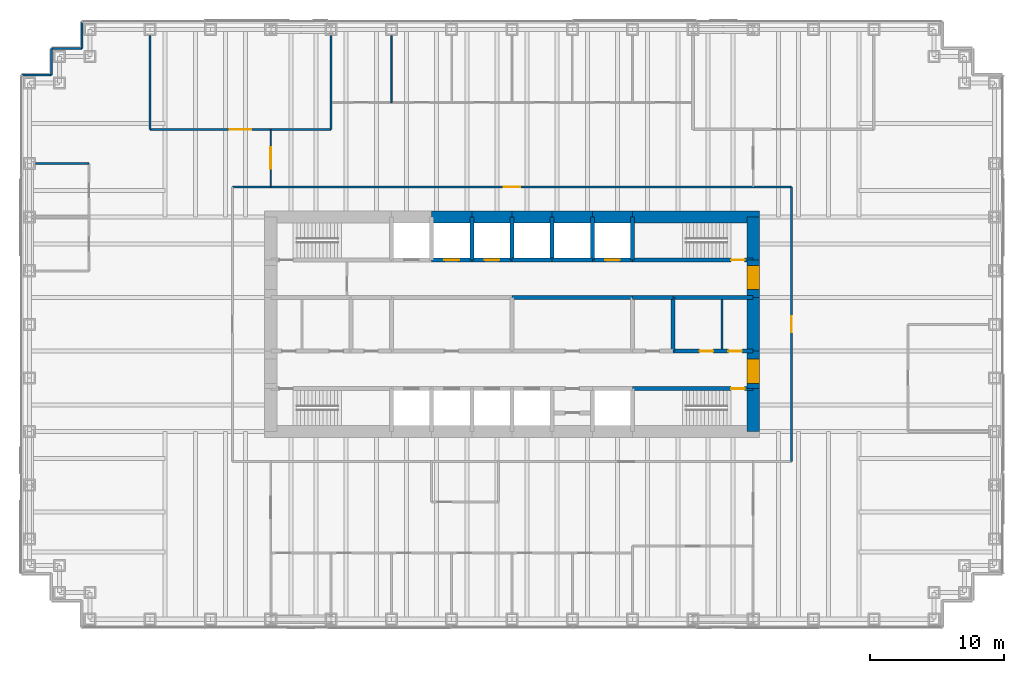
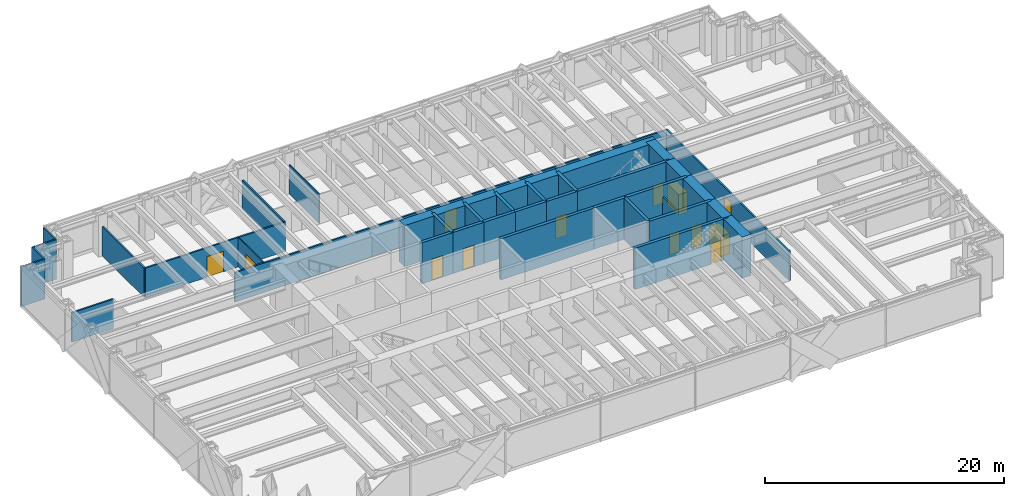
# One storey, part 13 of 15: 41 walls, 13 doors, 13 openings.
"""IFC4 building model written with IfcOpenShell, lengths in metres."""

from ifc_helpers import new_model, si_unit, direction, frame, frame_2d, origin, place, context, subcontext, project, spatial, rectangle, extrude, material, layer, layer_set, type_object, element, fill, save


model = new_model("IFC4")

# Units and contexts
model_context = context("Model", 3, precision=1e-05, world=origin(), true_north=direction((0.0, 1.0)))
body_context = subcontext(model_context, "Body", "Model", "MODEL_VIEW")
ifc_project = project(units=[si_unit("LENGTHUNIT", "METRE"), si_unit("AREAUNIT", "SQUARE_METRE"), si_unit("VOLUMEUNIT", "CUBIC_METRE"), si_unit("PLANEANGLEUNIT", "RADIAN"), si_unit("MASSUNIT", "GRAM", prefix="KILO")], contexts=[model_context])

# Site, building, storey
site_placement = place(None, origin())
site = spatial("IfcSite", under=ifc_project, at=site_placement, CompositionType="ELEMENT")
building_placement = place(site_placement, origin())
building = spatial("IfcBuilding", under=site, at=building_placement, Name="Rheinbord Bourse Tower", CompositionType="ELEMENT")
storey_placement = place(building_placement, frame((0.0, 0.0, 108.89990234375)))
storey = spatial("IfcBuildingStorey", under=building, at=storey_placement, Name="L23", CompositionType="ELEMENT", Elevation=108.89990234375)

# Wall, opening, door
ifc_material_1 = material(Name="Concrete C50/60", Category="concrete")
ifc_layer_1 = layer(ifc_material_1, 0.300048828125)
ifc_layer_set_1 = layer_set([ifc_layer_1], Name="CORE INNER WALL 300")
wall_type_1 = type_object("IfcWallType", Name="CORE INNER WALL 300", PredefinedType="SOLIDWALL", material=ifc_layer_set_1)
wall_1_placement = place(storey_placement, frame((45.0, 19.199951171875, 0.0), z_axis=(0.0, 0.0, 1.0), x_axis=(1.0, 0.0, 0.0)))
wall_1 = element("IfcWall", 1, at=wall_1_placement, inside=storey, type_object=wall_type_1, Name="Core wall A8 L23", PredefinedType="SOLIDWALL", context=body_context, shape_type="SweptSolid", body=[
    extrude(rectangle(XDim=9.0, YDim=0.300048828125, at=frame_2d((4.5, 0.0))), origin(), (0.0, 0.0, 1.0), 4.2001953125),
])
opening_1_placement = place(wall_1_placement, frame((7.35009765625, 0.0, 0.0)))
opening_1 = element("IfcOpeningElement", 2, at=opening_1_placement, cuts=wall_1, Name="Opening 2330", PredefinedType="OPENING", context=body_context, shape_type="SweptSolid", body=[
    extrude(rectangle(XDim=1.0, YDim=2.10009765625, at=frame_2d((0.5, 1.050048828125))), frame((0.0, 0.159912109375, 0.0), z_axis=(0.0, -1.0, 0.0), x_axis=(1.0, 0.0, 0.0)), (0.0, 0.0, 1.0), 0.320068359375),
])
ifc_material_2 = material(Name="Steel door", Category="steel")
door_type_1 = type_object("IfcDoorType", Name="DOOR 1000 EI30", OperationType="SINGLE_SWING_LEFT", PredefinedType="DOOR", material=ifc_material_2)
door_1_placement = place(opening_1_placement, origin())
door_1 = element("IfcDoor", 3, at=door_1_placement, inside=storey, type_object=door_type_1, Name="Stair door ST3 L23", OperationType="SINGLE_SWING_RIGHT", OverallHeight=2.10009765625, OverallWidth=1.0, PredefinedType="DOOR", context=body_context, shape_type="SweptSolid", body=[
    extrude(rectangle(XDim=1.0, YDim=2.10009765625, at=frame_2d((0.5, 1.050048828125))), frame((0.0, 0.02490234375, 0.0), z_axis=(0.0, -1.0, 0.0), x_axis=(1.0, 0.0, 0.0)), (0.0, 0.0, 1.0), 0.050048828125),
])
fill(opening_1, door_1)

wall_2_placement = place(storey_placement, frame((30.0, 28.800048828125, 0.0), z_axis=(0.0, 0.0, 1.0), x_axis=(1.0, 0.0, 0.0)))
wall_2 = element("IfcWall", 4, at=wall_2_placement, inside=storey, type_object=wall_type_1, Name="Core wall B3 L23", PredefinedType="SOLIDWALL", context=body_context, shape_type="SweptSolid", body=[
    extrude(rectangle(XDim=3.0, YDim=0.300048828125, at=frame_2d((1.5, 0.0))), origin(), (0.0, 0.0, 1.0), 4.2001953125),
])
opening_2_placement = place(wall_2_placement, frame((0.949951171875, 0.0, 0.0)))
opening_2 = element("IfcOpeningElement", 5, at=opening_2_placement, cuts=wall_2, Name="Opening PB4", PredefinedType="OPENING", context=body_context, shape_type="SweptSolid", body=[
    extrude(rectangle(XDim=1.10009765625, YDim=2.199951171875, at=frame_2d((0.550048828125, 1.10009765625))), frame((0.0, 0.159912109375, 0.0), z_axis=(0.0, -1.0, 0.0), x_axis=(1.0, 0.0, 0.0)), (0.0, 0.0, 1.0), 0.320068359375),
])
ifc_material_3 = material(Name="Steel landing door", Category="steel")
door_type_2 = type_object("IfcDoorType", Name="LIFT LANDING DOOR 1100", OperationType="DOUBLE_DOOR_SLIDING", PredefinedType="USERDEFINED", material=ifc_material_3)
door_2_placement = place(opening_2_placement, origin())
door_2 = element("IfcDoor", 6, at=door_2_placement, inside=storey, type_object=door_type_2, Name="Lift landing door PB4 L23", ObjectType="LIFT LANDING DOOR", OperationType="DOUBLE_DOOR_SLIDING", OverallHeight=2.199951171875, OverallWidth=1.10009765625, PredefinedType="USERDEFINED", context=body_context, shape_type="SweptSolid", body=[
    extrude(rectangle(XDim=1.10009765625, YDim=2.199951171875, at=frame_2d((0.550048828125, 1.10009765625))), frame((0.0, 0.02490234375, 0.0), z_axis=(0.0, -1.0, 0.0), x_axis=(1.0, 0.0, 0.0)), (0.0, 0.0, 1.0), 0.050048828125),
])
fill(opening_2, door_2)

wall_3_placement = place(storey_placement, frame((33.0, 28.800048828125, 0.0), z_axis=(0.0, 0.0, 1.0), x_axis=(1.0, 0.0, 0.0)))
wall_3 = element("IfcWall", 7, at=wall_3_placement, inside=storey, type_object=wall_type_1, Name="Core wall B4 L23", PredefinedType="SOLIDWALL", context=body_context, shape_type="SweptSolid", body=[
    extrude(rectangle(XDim=3.0, YDim=0.300048828125, at=frame_2d((1.5, 0.0))), origin(), (0.0, 0.0, 1.0), 4.2001953125),
])
opening_3_placement = place(wall_3_placement, frame((0.949951171875, 0.0, 0.0)))
opening_3 = element("IfcOpeningElement", 8, at=opening_3_placement, cuts=wall_3, Name="Opening PB5", PredefinedType="OPENING", context=body_context, shape_type="SweptSolid", body=[
    extrude(rectangle(XDim=1.10009765625, YDim=2.199951171875, at=frame_2d((0.550048828125, 1.10009765625))), frame((0.0, 0.159912109375, 0.0), z_axis=(0.0, -1.0, 0.0), x_axis=(1.0, 0.0, 0.0)), (0.0, 0.0, 1.0), 0.320068359375),
])
door_3_placement = place(opening_3_placement, origin())
door_3 = element("IfcDoor", 9, at=door_3_placement, inside=storey, type_object=door_type_2, Name="Lift landing door PB5 L23", ObjectType="LIFT LANDING DOOR", OperationType="DOUBLE_DOOR_SLIDING", OverallHeight=2.199951171875, OverallWidth=1.10009765625, PredefinedType="USERDEFINED", context=body_context, shape_type="SweptSolid", body=[
    extrude(rectangle(XDim=1.10009765625, YDim=2.199951171875, at=frame_2d((0.550048828125, 1.10009765625))), frame((0.0, 0.02490234375, 0.0), z_axis=(0.0, -1.0, 0.0), x_axis=(1.0, 0.0, 0.0)), (0.0, 0.0, 1.0), 0.050048828125),
])
fill(opening_3, door_3)

# Walls
for number, where, z_axis, x_axis, name in (
    (10, (36.0, 28.800048828125, 0.0), (0.0, 0.0, 1.0), (1.0, 0.0, 0.0), "Core wall B5 L23"),
    (11, (39.0, 28.800048828125, 0.0), (0.0, 0.0, 1.0), (1.0, 0.0, 0.0), "Core wall B6 L23"),
):
    element("IfcWall", number, at=place(storey_placement, frame(where, z_axis=z_axis, x_axis=x_axis)), inside=storey, type_object=wall_type_1, Name=name, PredefinedType="SOLIDWALL", context=body_context, shape_type="SweptSolid", body=[
        extrude(rectangle(XDim=3.0, YDim=0.300048828125, at=frame_2d((1.5, 0.0))), origin(), (0.0, 0.0, 1.0), 4.2001953125),
    ])

# Wall, opening, door
wall_4_placement = place(storey_placement, frame((42.0, 28.800048828125, 0.0), z_axis=(0.0, 0.0, 1.0), x_axis=(1.0, 0.0, 0.0)))
wall_4 = element("IfcWall", 12, at=wall_4_placement, inside=storey, type_object=wall_type_1, Name="Core wall B7 L23", PredefinedType="SOLIDWALL", context=body_context, shape_type="SweptSolid", body=[
    extrude(rectangle(XDim=3.0, YDim=0.300048828125, at=frame_2d((1.5, 0.0))), origin(), (0.0, 0.0, 1.0), 4.2001953125),
])
opening_4_placement = place(wall_4_placement, frame((0.949951171875, 0.0, 0.0)))
opening_4 = element("IfcOpeningElement", 13, at=opening_4_placement, cuts=wall_4, Name="Opening FL2", PredefinedType="OPENING", context=body_context, shape_type="SweptSolid", body=[
    extrude(rectangle(XDim=1.10009765625, YDim=2.199951171875, at=frame_2d((0.550048828125, 1.10009765625))), frame((0.0, 0.159912109375, 0.0), z_axis=(0.0, -1.0, 0.0), x_axis=(1.0, 0.0, 0.0)), (0.0, 0.0, 1.0), 0.320068359375),
])
door_4_placement = place(opening_4_placement, origin())
door_4 = element("IfcDoor", 14, at=door_4_placement, inside=storey, type_object=door_type_2, Name="Lift landing door FL2 L23", ObjectType="LIFT LANDING DOOR", OperationType="DOUBLE_DOOR_SLIDING", OverallHeight=2.199951171875, OverallWidth=1.10009765625, PredefinedType="USERDEFINED", context=body_context, shape_type="SweptSolid", body=[
    extrude(rectangle(XDim=1.10009765625, YDim=2.199951171875, at=frame_2d((0.550048828125, 1.10009765625))), frame((0.0, 0.02490234375, 0.0), z_axis=(0.0, -1.0, 0.0), x_axis=(1.0, 0.0, 0.0)), (0.0, 0.0, 1.0), 0.050048828125),
])
fill(opening_4, door_4)

wall_5_placement = place(storey_placement, frame((45.0, 28.800048828125, 0.0), z_axis=(0.0, 0.0, 1.0), x_axis=(1.0, 0.0, 0.0)))
wall_5 = element("IfcWall", 15, at=wall_5_placement, inside=storey, type_object=wall_type_1, Name="Core wall B8 L23", PredefinedType="SOLIDWALL", context=body_context, shape_type="SweptSolid", body=[
    extrude(rectangle(XDim=9.0, YDim=0.300048828125, at=frame_2d((4.5, 0.0))), origin(), (0.0, 0.0, 1.0), 4.2001953125),
])
opening_5_placement = place(wall_5_placement, frame((7.35009765625, 0.0, 0.0)))
opening_5 = element("IfcOpeningElement", 16, at=opening_5_placement, cuts=wall_5, Name="Opening 2340", PredefinedType="OPENING", context=body_context, shape_type="SweptSolid", body=[
    extrude(rectangle(XDim=1.0, YDim=2.10009765625, at=frame_2d((0.5, 1.050048828125))), frame((0.0, 0.159912109375, 0.0), z_axis=(0.0, -1.0, 0.0), x_axis=(1.0, 0.0, 0.0)), (0.0, 0.0, 1.0), 0.320068359375),
])
door_5_placement = place(opening_5_placement, origin())
door_5 = element("IfcDoor", 17, at=door_5_placement, inside=storey, type_object=door_type_1, Name="Stair door ST4 L23", OperationType="SINGLE_SWING_RIGHT", OverallHeight=2.10009765625, OverallWidth=1.0, PredefinedType="DOOR", context=body_context, shape_type="SweptSolid", body=[
    extrude(rectangle(XDim=1.0, YDim=2.10009765625, at=frame_2d((0.5, 1.050048828125))), frame((0.0, 0.02490234375, 0.0), z_axis=(0.0, -1.0, 0.0), x_axis=(1.0, 0.0, 0.0)), (0.0, 0.0, 1.0), 0.050048828125),
])
fill(opening_5, door_5)

# Wall, openings, doors
wall_6_placement = place(storey_placement, frame((48.0, 22.0, 0.0), z_axis=(0.0, 0.0, 1.0), x_axis=(1.0, 0.0, 0.0)))
wall_6 = element("IfcWall", 18, at=wall_6_placement, inside=storey, type_object=wall_type_1, Name="Core wall C6 L23", PredefinedType="SOLIDWALL", context=body_context, shape_type="SweptSolid", body=[
    extrude(rectangle(XDim=6.0, YDim=0.300048828125, at=frame_2d((3.0, 0.0))), origin(), (0.0, 0.0, 1.0), 4.2001953125),
])
opening_6_placement = place(wall_6_placement, frame((2.0, 0.0, 0.0)))
opening_6 = element("IfcOpeningElement", 19, at=opening_6_placement, cuts=wall_6, Name="Opening 23R6", PredefinedType="OPENING", context=body_context, shape_type="SweptSolid", body=[
    extrude(rectangle(XDim=1.0, YDim=2.10009765625, at=frame_2d((0.5, 1.050048828125))), frame((0.0, 0.159912109375, 0.0), z_axis=(0.0, -1.0, 0.0), x_axis=(1.0, 0.0, 0.0)), (0.0, 0.0, 1.0), 0.320068359375),
])
opening_7_placement = place(wall_6_placement, frame((4.14990234375, 0.0, 0.0)))
opening_7 = element("IfcOpeningElement", 20, at=opening_7_placement, cuts=wall_6, Name="Opening 23R10", PredefinedType="OPENING", context=body_context, shape_type="SweptSolid", body=[
    extrude(rectangle(XDim=1.0, YDim=2.10009765625, at=frame_2d((0.5, 1.050048828125))), frame((0.0, 0.159912109375, 0.0), z_axis=(0.0, -1.0, 0.0), x_axis=(1.0, 0.0, 0.0)), (0.0, 0.0, 1.0), 0.320068359375),
])
door_6_placement = place(opening_7_placement, origin())
door_6 = element("IfcDoor", 21, at=door_6_placement, inside=storey, type_object=door_type_1, Name="Cleaner's store door L23", OperationType="SINGLE_SWING_RIGHT", OverallHeight=2.10009765625, OverallWidth=1.0, PredefinedType="DOOR", context=body_context, shape_type="SweptSolid", body=[
    extrude(rectangle(XDim=1.0, YDim=2.10009765625, at=frame_2d((0.5, 1.050048828125))), frame((0.0, 0.02490234375, 0.0), z_axis=(0.0, -1.0, 0.0), x_axis=(1.0, 0.0, 0.0)), (0.0, 0.0, 1.0), 0.050048828125),
])
fill(opening_7, door_6)
ifc_material_4 = material(Name="Timber door", Category="wood")
door_type_3 = type_object("IfcDoorType", Name="DOOR 1000 WC", OperationType="SINGLE_SWING_LEFT", PredefinedType="DOOR", material=ifc_material_4)
door_7_placement = place(opening_6_placement, origin())
door_7 = element("IfcDoor", 22, at=door_7_placement, inside=storey, type_object=door_type_3, Name="WC women door L23", OperationType="SINGLE_SWING_LEFT", OverallHeight=2.10009765625, OverallWidth=1.0, PredefinedType="DOOR", context=body_context, shape_type="SweptSolid", body=[
    extrude(rectangle(XDim=1.0, YDim=2.10009765625, at=frame_2d((0.5, 1.050048828125))), frame((0.0, 0.02490234375, 0.0), z_axis=(0.0, -1.0, 0.0), x_axis=(1.0, 0.0, 0.0)), (0.0, 0.0, 1.0), 0.050048828125),
])
fill(opening_6, door_7)

# Walls
wall_7_placement = place(storey_placement, frame((36.0, 26.0, 0.0), z_axis=(0.0, 0.0, 1.0), x_axis=(1.0, 0.0, 0.0)))
element("IfcWall", 23, at=wall_7_placement, inside=storey, type_object=wall_type_1, Name="Core wall D4 L23", PredefinedType="SOLIDWALL", context=body_context, shape_type="SweptSolid", body=[
    extrude(rectangle(XDim=9.0, YDim=0.300048828125, at=frame_2d((4.5, 0.0))), origin(), (0.0, 0.0, 1.0), 4.2001953125),
])
wall_8_placement = place(storey_placement, frame((45.0, 26.0, 0.0), z_axis=(0.0, 0.0, 1.0), x_axis=(1.0, 0.0, 0.0)))
element("IfcWall", 24, at=wall_8_placement, inside=storey, type_object=wall_type_1, Name="Core wall D5 L23", PredefinedType="SOLIDWALL", context=body_context, shape_type="SweptSolid", body=[
    extrude(rectangle(XDim=3.0, YDim=0.300048828125, at=frame_2d((1.5, 0.0))), origin(), (0.0, 0.0, 1.0), 4.2001953125),
])
wall_9_placement = place(storey_placement, frame((48.0, 26.0, 0.0), z_axis=(0.0, 0.0, 1.0), x_axis=(1.0, 0.0, 0.0)))
element("IfcWall", 25, at=wall_9_placement, inside=storey, type_object=wall_type_1, Name="Core wall D6 L23", PredefinedType="SOLIDWALL", context=body_context, shape_type="SweptSolid", body=[
    extrude(rectangle(XDim=6.0, YDim=0.300048828125, at=frame_2d((3.0, 0.0))), origin(), (0.0, 0.0, 1.0), 4.2001953125),
])
for number, where, z_axis, x_axis, name in (
    (26, (33.0, 28.800048828125, 0.0), (0.0, 0.0, 1.0), (0.0, 1.0, 0.0), "Core wall NX33 L23"),
    (27, (36.0, 28.800048828125, 0.0), (0.0, 0.0, 1.0), (0.0, 1.0, 0.0), "Core wall NX36 L23"),
    (28, (39.0, 28.800048828125, 0.0), (0.0, 0.0, 1.0), (0.0, 1.0, 0.0), "Core wall NX39 L23"),
    (29, (42.0, 28.800048828125, 0.0), (0.0, 0.0, 1.0), (0.0, 1.0, 0.0), "Core wall NX42 L23"),
    (30, (45.0, 28.800048828125, 0.0), (0.0, 0.0, 1.0), (0.0, 1.0, 0.0), "Core wall NX45 L23"),
):
    element("IfcWall", number, at=place(storey_placement, frame(where, z_axis=z_axis, x_axis=x_axis)), inside=storey, type_object=wall_type_1, Name=name, PredefinedType="SOLIDWALL", context=body_context, shape_type="SweptSolid", body=[
        extrude(rectangle(XDim=3.199951171875, YDim=0.300048828125, at=frame_2d((1.60009765625, 0.0))), origin(), (0.0, 0.0, 1.0), 4.2001953125),
    ])
wall_10_placement = place(storey_placement, frame((48.0, 22.0, 0.0), z_axis=(0.0, 0.0, 1.0), x_axis=(0.0, 1.0, 0.0)))
element("IfcWall", 31, at=wall_10_placement, inside=storey, type_object=wall_type_1, Name="Core wall MX48 L23", PredefinedType="SOLIDWALL", context=body_context, shape_type="SweptSolid", body=[
    extrude(rectangle(XDim=4.0, YDim=0.300048828125, at=frame_2d((2.0, 0.0))), origin(), (0.0, 0.0, 1.0), 4.2001953125),
])
ifc_material_5 = material(Name="Gypsum board fire partition", Category="gypsum board")
ifc_layer_2 = layer(ifc_material_5, 0.14990234375)
ifc_layer_set_2 = layer_set([ifc_layer_2], Name="CORE PARTITION 150 EI30")
wall_type_2 = type_object("IfcWallType", Name="CORE PARTITION 150 EI30", PredefinedType="PARTITIONING", material=ifc_layer_set_2)
wall_11_placement = place(storey_placement, frame((51.675048828125, 22.14990234375, 0.0), z_axis=(0.0, 0.0, 1.0), x_axis=(0.0, 1.0, 0.0)))
element("IfcWall", 32, at=wall_11_placement, inside=storey, type_object=wall_type_2, Name="Core partition L23-3", PredefinedType="PARTITIONING", context=body_context, shape_type="SweptSolid", body=[
    extrude(rectangle(XDim=3.7001953125, YDim=0.14990234375, at=frame_2d((1.85009765625, 0.0))), origin(), (0.0, 0.0, 1.0), 3.0),
])
ifc_material_6 = material(Name="Concrete C50/60", Category="concrete")
ifc_layer_3 = layer(ifc_material_6, 0.89990234375)
ifc_layer_set_3 = layer_set([ifc_layer_3], Name="CORE WALL 900")
wall_type_3 = type_object("IfcWallType", Name="CORE WALL 900", PredefinedType="SHEAR", material=ifc_layer_set_3)
wall_12_placement = place(storey_placement, frame((54.449951171875, 32.0, 0.0), z_axis=(0.0, 0.0, 1.0), x_axis=(-1.0, 0.0, 0.0)))
element("IfcWall", 33, at=wall_12_placement, inside=storey, type_object=wall_type_3, Name="Core wall N1 L23", PredefinedType="SHEAR", context=body_context, shape_type="SweptSolid", body=[
    extrude(rectangle(XDim=9.449951171875, YDim=0.89990234375, at=frame_2d((4.72509765625, 0.0))), origin(), (0.0, 0.0, 1.0), 4.2001953125),
])
for number, where, z_axis, x_axis, name in (
    (34, (45.0, 32.0, 0.0), (0.0, 0.0, 1.0), (-1.0, 0.0, 0.0), "Core wall N2 L23"),
    (35, (42.0, 32.0, 0.0), (0.0, 0.0, 1.0), (-1.0, 0.0, 0.0), "Core wall N3 L23"),
    (36, (39.0, 32.0, 0.0), (0.0, 0.0, 1.0), (-1.0, 0.0, 0.0), "Core wall N4 L23"),
    (37, (36.0, 32.0, 0.0), (0.0, 0.0, 1.0), (-1.0, 0.0, 0.0), "Core wall N5 L23"),
    (38, (33.0, 32.0, 0.0), (0.0, 0.0, 1.0), (-1.0, 0.0, 0.0), "Core wall N6 L23"),
):
    element("IfcWall", number, at=place(storey_placement, frame(where, z_axis=z_axis, x_axis=x_axis)), inside=storey, type_object=wall_type_3, Name=name, PredefinedType="SHEAR", context=body_context, shape_type="SweptSolid", body=[
        extrude(rectangle(XDim=3.0, YDim=0.89990234375, at=frame_2d((1.5, 0.0))), origin(), (0.0, 0.0, 1.0), 4.2001953125),
    ])
wall_13_placement = place(storey_placement, frame((54.0, 16.0, 0.0), z_axis=(0.0, 0.0, 1.0), x_axis=(0.0, 1.0, 0.0)))
element("IfcWall", 39, at=wall_13_placement, inside=storey, type_object=wall_type_3, Name="Core wall E1 L23", PredefinedType="SHEAR", context=body_context, shape_type="SweptSolid", body=[
    extrude(rectangle(XDim=3.199951171875, YDim=0.89990234375, at=frame_2d((1.60009765625, 0.0))), origin(), (0.0, 0.0, 1.0), 4.2001953125),
])

# Wall, opening, door
wall_14_placement = place(storey_placement, frame((54.0, 19.199951171875, 0.0), z_axis=(0.0, 0.0, 1.0), x_axis=(0.0, 1.0, 0.0)))
wall_14 = element("IfcWall", 40, at=wall_14_placement, inside=storey, type_object=wall_type_3, Name="Core wall E2 L23", PredefinedType="SHEAR", context=body_context, shape_type="SweptSolid", body=[
    extrude(rectangle(XDim=2.800048828125, YDim=0.89990234375, at=frame_2d((1.39990234375, 0.0))), origin(), (0.0, 0.0, 1.0), 4.2001953125),
])
opening_8_placement = place(wall_14_placement, frame((0.39990234375, 0.0, 0.0)))
opening_8 = element("IfcOpeningElement", 41, at=opening_8_placement, cuts=wall_14, Name="Opening 23L3", PredefinedType="OPENING", context=body_context, shape_type="SweptSolid", body=[
    extrude(rectangle(XDim=1.800048828125, YDim=2.10009765625, at=frame_2d((0.89990234375, 1.050048828125))), frame((0.0, 0.4599609375, 0.0), z_axis=(0.0, -1.0, 0.0), x_axis=(1.0, 0.0, 0.0)), (0.0, 0.0, 1.0), 0.919921875),
])
ifc_material_7 = material(Name="Steel door", Category="steel")
door_type_4 = type_object("IfcDoorType", Name="DOOR 1800 EI30 DOUBLE", OperationType="DOUBLE_DOOR_DOUBLE_SWING", PredefinedType="DOOR", material=ifc_material_7)
door_8_placement = place(opening_8_placement, origin())
door_8 = element("IfcDoor", 42, at=door_8_placement, inside=storey, type_object=door_type_4, Name="Lobby door 3 L23", OperationType="SINGLE_SWING_LEFT", OverallHeight=2.10009765625, OverallWidth=1.800048828125, PredefinedType="DOOR", context=body_context, shape_type="SweptSolid", body=[
    extrude(rectangle(XDim=1.800048828125, YDim=2.10009765625, at=frame_2d((0.89990234375, 1.050048828125))), frame((0.0, 0.44970703125, 0.0), z_axis=(0.0, -1.0, 0.0), x_axis=(1.0, 0.0, 0.0)), (0.0, 0.0, 1.0), 0.8994140625),
])
fill(opening_8, door_8)

# Wall
wall_15_placement = place(storey_placement, frame((54.0, 22.0, 0.0), z_axis=(0.0, 0.0, 1.0), x_axis=(0.0, 1.0, 0.0)))
element("IfcWall", 43, at=wall_15_placement, inside=storey, type_object=wall_type_3, Name="Core wall E3 L23", PredefinedType="SHEAR", context=body_context, shape_type="SweptSolid", body=[
    extrude(rectangle(XDim=4.0, YDim=0.89990234375, at=frame_2d((2.0, 0.0))), origin(), (0.0, 0.0, 1.0), 4.2001953125),
])

# Wall, opening, door
wall_16_placement = place(storey_placement, frame((54.0, 26.0, 0.0), z_axis=(0.0, 0.0, 1.0), x_axis=(0.0, 1.0, 0.0)))
wall_16 = element("IfcWall", 44, at=wall_16_placement, inside=storey, type_object=wall_type_3, Name="Core wall E4 L23", PredefinedType="SHEAR", context=body_context, shape_type="SweptSolid", body=[
    extrude(rectangle(XDim=2.800048828125, YDim=0.89990234375, at=frame_2d((1.39990234375, 0.0))), origin(), (0.0, 0.0, 1.0), 4.2001953125),
])
opening_9_placement = place(wall_16_placement, frame((0.60009765625, 0.0, 0.0)))
opening_9 = element("IfcOpeningElement", 45, at=opening_9_placement, cuts=wall_16, Name="Opening 23L4", PredefinedType="OPENING", context=body_context, shape_type="SweptSolid", body=[
    extrude(rectangle(XDim=1.800048828125, YDim=2.10009765625, at=frame_2d((0.89990234375, 1.050048828125))), frame((0.0, 0.4599609375, 0.0), z_axis=(0.0, -1.0, 0.0), x_axis=(1.0, 0.0, 0.0)), (0.0, 0.0, 1.0), 0.919921875),
])
door_9_placement = place(opening_9_placement, origin())
door_9 = element("IfcDoor", 46, at=door_9_placement, inside=storey, type_object=door_type_4, Name="Lobby door 4 L23", OperationType="SINGLE_SWING_LEFT", OverallHeight=2.10009765625, OverallWidth=1.800048828125, PredefinedType="DOOR", context=body_context, shape_type="SweptSolid", body=[
    extrude(rectangle(XDim=1.800048828125, YDim=2.10009765625, at=frame_2d((0.89990234375, 1.050048828125))), frame((0.0, 0.44970703125, 0.0), z_axis=(0.0, -1.0, 0.0), x_axis=(1.0, 0.0, 0.0)), (0.0, 0.0, 1.0), 0.8994140625),
])
fill(opening_9, door_9)

# Walls
wall_17_placement = place(storey_placement, frame((54.0, 28.800048828125, 0.0), z_axis=(0.0, 0.0, 1.0), x_axis=(0.0, 1.0, 0.0)))
element("IfcWall", 47, at=wall_17_placement, inside=storey, type_object=wall_type_3, Name="Core wall E5 L23", PredefinedType="SHEAR", context=body_context, shape_type="SweptSolid", body=[
    extrude(rectangle(XDim=3.199951171875, YDim=0.89990234375, at=frame_2d((1.60009765625, 0.0))), origin(), (0.0, 0.0, 1.0), 4.2001953125),
])
ifc_material_8 = material(Name="Black metal rainscreen panel", Category="aluminium")
ifc_layer_4 = layer(ifc_material_8, 0.14990234375)
ifc_layer_set_4 = layer_set([ifc_layer_4], Name="CORNER PIER CLADDING 150")
wall_type_4 = type_object("IfcWallType", Name="CORNER PIER CLADDING 150", PredefinedType="ELEMENTEDWALL", material=ifc_layer_set_4)
wall_18_placement = place(storey_placement, frame((3.89990234375, 46.60009765625, 0.0), z_axis=(0.0, 0.0, 1.0), x_axis=(0.0, -1.0, 0.0)))
element("IfcWall", 48, at=wall_18_placement, inside=storey, type_object=wall_type_4, Name="Corner pier cladding L23 12", PredefinedType="ELEMENTEDWALL", context=body_context, shape_type="SweptSolid", body=[
    extrude(rectangle(XDim=2.0, YDim=0.14990234375, at=frame_2d((1.0, 0.0))), origin(), (0.0, 0.0, 1.0), 4.0400390625),
])
wall_19_placement = place(storey_placement, frame((3.89990234375, 44.60009765625, 0.0), z_axis=(0.0, 0.0, 1.0), x_axis=(-1.0, 0.0, 0.0)))
element("IfcWall", 49, at=wall_19_placement, inside=storey, type_object=wall_type_4, Name="Corner pier cladding L23 13", PredefinedType="ELEMENTEDWALL", context=body_context, shape_type="SweptSolid", body=[
    extrude(rectangle(XDim=2.25, YDim=0.14990234375, at=frame_2d((1.125, 0.0))), origin(), (0.0, 0.0, 1.0), 4.0400390625),
])
wall_20_placement = place(storey_placement, frame((1.64990234375, 44.60009765625, 0.0), z_axis=(0.0, 0.0, 1.0), x_axis=(0.0, -1.0, 0.0)))
element("IfcWall", 50, at=wall_20_placement, inside=storey, type_object=wall_type_4, Name="Corner pier cladding L23 14", PredefinedType="ELEMENTEDWALL", context=body_context, shape_type="SweptSolid", body=[
    extrude(rectangle(XDim=2.0, YDim=0.14990234375, at=frame_2d((1.0, 0.0))), origin(), (0.0, 0.0, 1.0), 4.0400390625),
])
wall_21_placement = place(storey_placement, frame((1.64990234375, 42.60009765625, 0.0), z_axis=(0.0, 0.0, 1.0), x_axis=(-1.0, 0.0, 0.0)))
element("IfcWall", 51, at=wall_21_placement, inside=storey, type_object=wall_type_4, Name="Corner pier cladding L23 15", PredefinedType="ELEMENTEDWALL", context=body_context, shape_type="SweptSolid", body=[
    extrude(rectangle(XDim=2.25, YDim=0.14990234375, at=frame_2d((1.125, 0.0))), origin(), (0.0, 0.0, 1.0), 4.0400390625),
])

# Wall, opening, door
ifc_material_9 = material(Name="Gypsum board corridor partition", Category="gypsum board")
ifc_layer_5 = layer(ifc_material_9, 0.14990234375)
ifc_layer_set_5 = layer_set([ifc_layer_5], Name="CORRIDOR PARTITION 150 EI30")
wall_type_5 = type_object("IfcWallType", Name="CORRIDOR PARTITION 150 EI30", PredefinedType="PARTITIONING", material=ifc_layer_set_5)
wall_22_placement = place(storey_placement, frame((15.14990234375, 34.25, 0.0), z_axis=(0.0, 0.0, 1.0), x_axis=(1.0, 0.0, 0.0)))
wall_22 = element("IfcWall", 52, at=wall_22_placement, inside=storey, type_object=wall_type_5, Name="Partition L23-11", PredefinedType="PARTITIONING", context=body_context, shape_type="SweptSolid", body=[
    extrude(rectangle(XDim=41.7001953125, YDim=0.14990234375, at=frame_2d((20.85009765625, 0.0))), origin(), (0.0, 0.0, 1.0), 3.0),
])
opening_10_placement = place(wall_22_placement, frame((20.25, 0.0, 0.0)))
opening_10 = element("IfcOpeningElement", 53, at=opening_10_placement, cuts=wall_22, Name="Opening 23D27", PredefinedType="OPENING", context=body_context, shape_type="SweptSolid", body=[
    extrude(rectangle(XDim=1.199951171875, YDim=2.10009765625, at=frame_2d((0.60009765625, 1.050048828125))), frame((0.0, 0.0849609375, 0.0), z_axis=(0.0, -1.0, 0.0), x_axis=(1.0, 0.0, 0.0)), (0.0, 0.0, 1.0), 0.169921875),
])
ifc_material_10 = material(Name="Timber fire door", Category="wood")
door_type_5 = type_object("IfcDoorType", Name="SUITE ENTRANCE DOOR 1200 EI30", OperationType="SINGLE_SWING_LEFT", PredefinedType="DOOR", material=ifc_material_10)
door_10_placement = place(opening_10_placement, origin())
door_10 = element("IfcDoor", 54, at=door_10_placement, inside=storey, type_object=door_type_5, Name="Suite entrance 4 door L23", OperationType="SINGLE_SWING_LEFT", OverallHeight=2.10009765625, OverallWidth=1.199951171875, PredefinedType="DOOR", context=body_context, shape_type="SweptSolid", body=[
    extrude(rectangle(XDim=1.199951171875, YDim=2.10009765625, at=frame_2d((0.60009765625, 1.050048828125))), frame((0.0, 0.02490234375, 0.0), z_axis=(0.0, -1.0, 0.0), x_axis=(1.0, 0.0, 0.0)), (0.0, 0.0, 1.0), 0.050048828125),
])
fill(opening_10, door_10)

wall_23_placement = place(storey_placement, frame((56.85009765625, 13.75, 0.0), z_axis=(0.0, 0.0, 1.0), x_axis=(0.0, 1.0, 0.0)))
wall_23 = element("IfcWall", 55, at=wall_23_placement, inside=storey, type_object=wall_type_5, Name="Partition L23-40", PredefinedType="PARTITIONING", context=body_context, shape_type="SweptSolid", body=[
    extrude(rectangle(XDim=20.5, YDim=0.14990234375, at=frame_2d((10.25, 0.0))), origin(), (0.0, 0.0, 1.0), 3.0),
])
opening_11_placement = place(wall_23_placement, frame((9.64990234375, 0.0, 0.0)))
opening_11 = element("IfcOpeningElement", 56, at=opening_11_placement, cuts=wall_23, Name="Opening 23D25", PredefinedType="OPENING", context=body_context, shape_type="SweptSolid", body=[
    extrude(rectangle(XDim=1.199951171875, YDim=2.10009765625, at=frame_2d((0.60009765625, 1.050048828125))), frame((0.0, 0.0849609375, 0.0), z_axis=(0.0, -1.0, 0.0), x_axis=(1.0, 0.0, 0.0)), (0.0, 0.0, 1.0), 0.169921875),
])
door_11_placement = place(opening_11_placement, origin())
door_11 = element("IfcDoor", 57, at=door_11_placement, inside=storey, type_object=door_type_5, Name="Suite entrance 2 door L23", OperationType="SINGLE_SWING_LEFT", OverallHeight=2.10009765625, OverallWidth=1.199951171875, PredefinedType="DOOR", context=body_context, shape_type="SweptSolid", body=[
    extrude(rectangle(XDim=1.199951171875, YDim=2.10009765625, at=frame_2d((0.60009765625, 1.050048828125))), frame((0.0, 0.02490234375, 0.0), z_axis=(0.0, -1.0, 0.0), x_axis=(1.0, 0.0, 0.0)), (0.0, 0.0, 1.0), 0.050048828125),
])
fill(opening_11, door_11)

ifc_material_11 = material(Name="Toughened laminated glass partition", Category="glass")
ifc_layer_6 = layer(ifc_material_11, 0.10009765625)
ifc_layer_set_6 = layer_set([ifc_layer_6], Name="GLAZED PARTITION 100")
wall_type_6 = type_object("IfcWallType", Name="GLAZED PARTITION 100", PredefinedType="PARTITIONING", material=ifc_layer_set_6)
wall_24_placement = place(storey_placement, frame((18.0, 34.25, 0.0), z_axis=(0.0, 0.0, 1.0), x_axis=(0.0, 1.0, 0.0)))
wall_24 = element("IfcWall", 58, at=wall_24_placement, inside=storey, type_object=wall_type_6, Name="Partition L23-21", PredefinedType="PARTITIONING", context=body_context, shape_type="SweptSolid", body=[
    extrude(rectangle(XDim=4.300048828125, YDim=0.10009765625, at=frame_2d((2.14990234375, 0.0))), origin(), (0.0, 0.0, 1.0), 3.0),
])
opening_12_placement = place(wall_24_placement, frame((1.35009765625, 0.0, 0.0)))
opening_12 = element("IfcOpeningElement", 59, at=opening_12_placement, cuts=wall_24, Name="Opening 23D21", PredefinedType="OPENING", context=body_context, shape_type="SweptSolid", body=[
    extrude(rectangle(XDim=1.60009765625, YDim=2.10009765625, at=frame_2d((0.800048828125, 1.050048828125))), frame((0.0, 0.06005859375, 0.0), z_axis=(0.0, -1.0, 0.0), x_axis=(1.0, 0.0, 0.0)), (0.0, 0.0, 1.0), 0.1201171875),
])
ifc_material_12 = material(Name="Timber door", Category="wood")
door_type_6 = type_object("IfcDoorType", Name="DOUBLE ROOM DOOR 1600", OperationType="DOUBLE_DOOR_DOUBLE_SWING", PredefinedType="DOOR", material=ifc_material_12)
door_12_placement = place(opening_12_placement, origin())
door_12 = element("IfcDoor", 60, at=door_12_placement, inside=storey, type_object=door_type_6, Name="Open area door L23", OperationType="SINGLE_SWING_LEFT", OverallHeight=2.10009765625, OverallWidth=1.60009765625, PredefinedType="DOOR", context=body_context, shape_type="SweptSolid", body=[
    extrude(rectangle(XDim=1.60009765625, YDim=2.10009765625, at=frame_2d((0.800048828125, 1.050048828125))), frame((0.0, 0.02490234375, 0.0), z_axis=(0.0, -1.0, 0.0), x_axis=(1.0, 0.0, 0.0)), (0.0, 0.0, 1.0), 0.050048828125),
])
fill(opening_12, door_12)

# Walls
wall_25_placement = place(storey_placement, frame((27.0, 40.550048828125, 0.0), z_axis=(0.0, 0.0, 1.0), x_axis=(0.0, 1.0, 0.0)))
element("IfcWall", 61, at=wall_25_placement, inside=storey, type_object=wall_type_6, Name="Partition L23-25", PredefinedType="PARTITIONING", context=body_context, shape_type="SweptSolid", body=[
    extrude(rectangle(XDim=5.0, YDim=0.10009765625, at=frame_2d((2.5, 0.0))), origin(), (0.0, 0.0, 1.0), 3.0),
])
ifc_material_13 = material(Name="Gypsum board partition", Category="gypsum board")
ifc_layer_7 = layer(ifc_material_13, 0.14990234375)
ifc_layer_set_7 = layer_set([ifc_layer_7], Name="PARTITION 150")
wall_type_7 = type_object("IfcWallType", Name="PARTITION 150", PredefinedType="PARTITIONING", material=ifc_layer_set_7)
wall_26_placement = place(storey_placement, frame((0.449951171875, 36.0, 0.0), z_axis=(0.0, 0.0, 1.0), x_axis=(1.0, 0.0, 0.0)))
element("IfcWall", 62, at=wall_26_placement, inside=storey, type_object=wall_type_7, Name="Partition L23-12", PredefinedType="PARTITIONING", context=body_context, shape_type="SweptSolid", body=[
    extrude(rectangle(XDim=4.0, YDim=0.14990234375, at=frame_2d((2.0, 0.0))), origin(), (0.0, 0.0, 1.0), 3.0),
])

# Wall, opening, door
wall_27_placement = place(storey_placement, frame((9.0, 38.550048828125, 0.0), z_axis=(0.0, 0.0, 1.0), x_axis=(1.0, 0.0, 0.0)))
wall_27 = element("IfcWall", 63, at=wall_27_placement, inside=storey, type_object=wall_type_7, Name="Partition L23-13", PredefinedType="PARTITIONING", context=body_context, shape_type="SweptSolid", body=[
    extrude(rectangle(XDim=13.5, YDim=0.14990234375, at=frame_2d((6.75, 0.0))), origin(), (0.0, 0.0, 1.0), 3.0),
])
opening_13_placement = place(wall_27_placement, frame((5.949951171875, 0.0, 0.0)))
opening_13 = element("IfcOpeningElement", 64, at=opening_13_placement, cuts=wall_27, Name="Opening 23D12", PredefinedType="OPENING", context=body_context, shape_type="SweptSolid", body=[
    extrude(rectangle(XDim=1.60009765625, YDim=2.10009765625, at=frame_2d((0.800048828125, 1.050048828125))), frame((0.0, 0.0849609375, 0.0), z_axis=(0.0, -1.0, 0.0), x_axis=(1.0, 0.0, 0.0)), (0.0, 0.0, 1.0), 0.169921875),
])
door_13_placement = place(opening_13_placement, origin())
door_13 = element("IfcDoor", 65, at=door_13_placement, inside=storey, type_object=door_type_6, Name="Issuer lounge door L23", OperationType="SINGLE_SWING_LEFT", OverallHeight=2.10009765625, OverallWidth=1.60009765625, PredefinedType="DOOR", context=body_context, shape_type="SweptSolid", body=[
    extrude(rectangle(XDim=1.60009765625, YDim=2.10009765625, at=frame_2d((0.800048828125, 1.050048828125))), frame((0.0, 0.02490234375, 0.0), z_axis=(0.0, -1.0, 0.0), x_axis=(1.0, 0.0, 0.0)), (0.0, 0.0, 1.0), 0.050048828125),
])
fill(opening_13, door_13)

# Walls
for number, where, z_axis, x_axis, name in (
    (66, (9.0, 38.550048828125, 0.0), (0.0, 0.0, 1.0), (0.0, 1.0, 0.0), "Partition L23-17"),
    (67, (22.5, 38.550048828125, 0.0), (0.0, 0.0, 1.0), (0.0, 1.0, 0.0), "Partition L23-23"),
):
    element("IfcWall", number, at=place(storey_placement, frame(where, z_axis=z_axis, x_axis=x_axis)), inside=storey, type_object=wall_type_7, Name=name, PredefinedType="PARTITIONING", context=body_context, shape_type="SweptSolid", body=[
        extrude(rectangle(XDim=7.0, YDim=0.14990234375, at=frame_2d((3.5, 0.0))), origin(), (0.0, 0.0, 1.0), 3.0),
    ])

save(model, "model.ifc")
